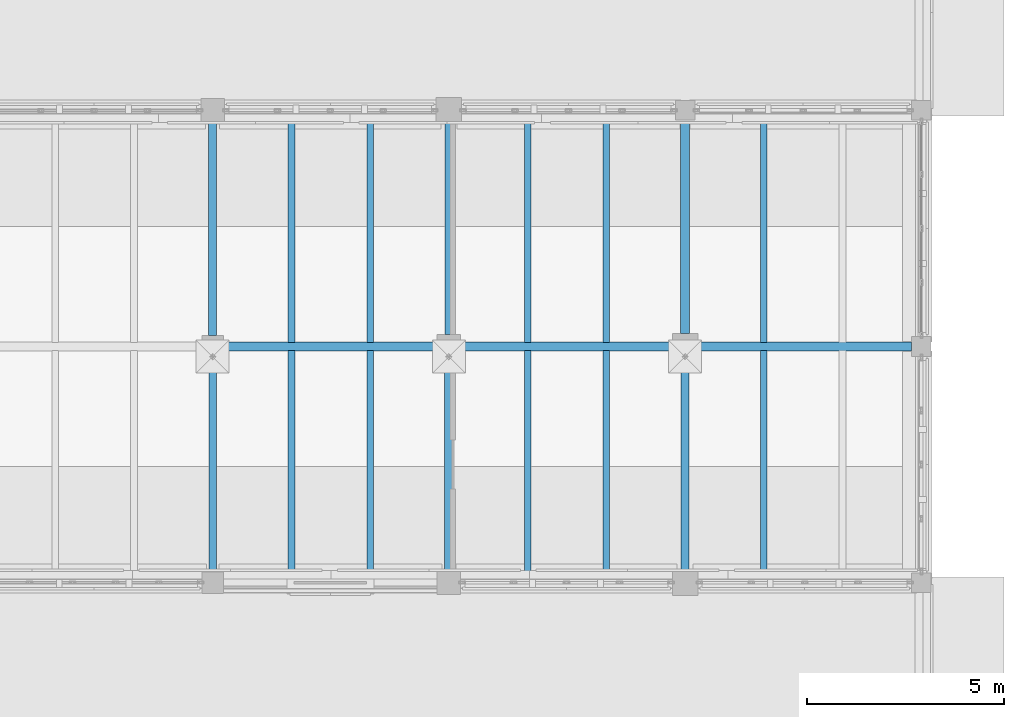
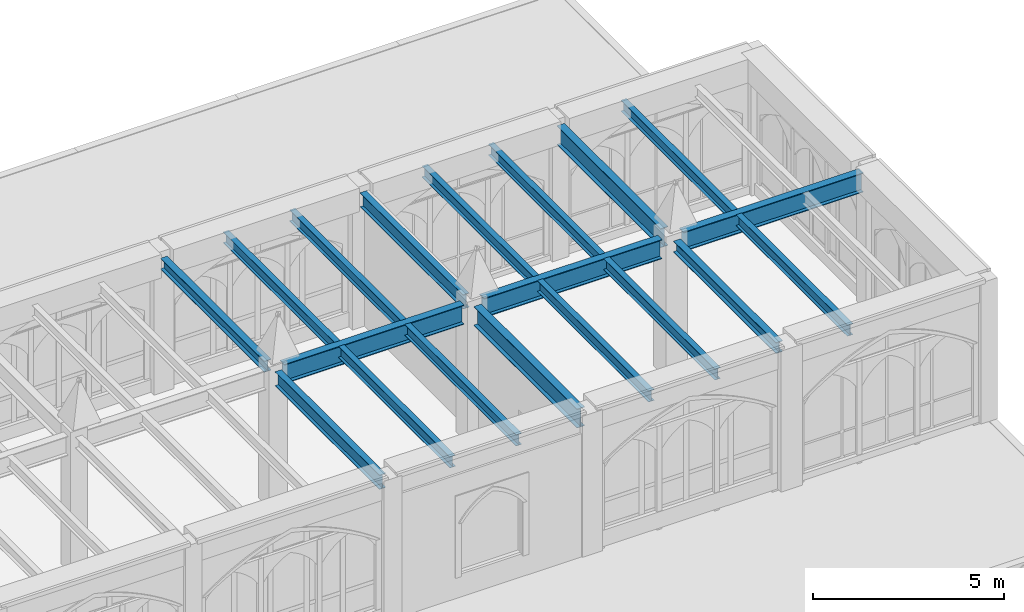
# One storey, part 76 of 143: 19 beams.
"""IFC4 building model written with IfcOpenShell, lengths in metres."""

import ifcopenshell
import ifcopenshell.guid

model = None  # the IFC model being written
_history = None  # IfcOwnerHistory: only IFC2X3 demands one
_inside = {}  # id of a spatial element -> (the spatial element, [elements in it])
_under = {}  # id of a project, library or spatial element -> (it, [spatial elements below it])
_declared = {}  # id of a project -> (the project, [libraries it declares])
_typed = {}  # id of a type object -> (the type object, [elements of that type])
_made_of = {}  # id of a material, layer set ... -> (it, [elements and type objects made of it])


def new_model(schema):
    """Start an empty IFC model of exactly this schema.

    Asked for "IFC4X3", IfcOpenShell would pick the latest addendum, in which some entities
    have other attributes; the version numbers below select the first issue.
    IFC2X3 requires an IfcOwnerHistory on every rooted entity: one is made here for all.
    """
    global model, _history
    if schema == "IFC4X3":
        model = ifcopenshell.file(schema_version=(4, 3, 0, 0))
    else:
        model = ifcopenshell.file(schema=schema)
    _inside.clear()
    _under.clear()
    _declared.clear()
    _typed.clear()
    _made_of.clear()
    _history = None
    if model.schema == "IFC2X3":
        org = make("IfcOrganization", Name="unknown")
        user = make(
            "IfcPersonAndOrganization",
            ThePerson=make("IfcPerson", FamilyName="unknown"),
            TheOrganization=org,
        )
        app = make(
            "IfcApplication",
            ApplicationDeveloper=org,
            Version="unknown",
            ApplicationFullName="unknown",
            ApplicationIdentifier="unknown",
        )
        _history = make(
            "IfcOwnerHistory",
            OwningUser=user,
            OwningApplication=app,
            ChangeAction="ADDED",
            CreationDate=0,
        )
    return model


def make(cls, **values):
    """One entity of the class cls with the attributes given. An attribute that is None is left unset."""
    return model.create_entity(
        cls, **{name: value for name, value in values.items() if value is not None}
    )


def rooted(cls, **values):
    """An entity with a GlobalId (a new one), such as an element, a storey or a relation."""
    return make(cls, GlobalId=ifcopenshell.guid.new(), OwnerHistory=_history, **values)


def si_unit(unit_type, name, prefix=None):
    """IfcSIUnit, for example si_unit("LENGTHUNIT", "METRE", prefix="MILLI")."""
    return make("IfcSIUnit", UnitType=unit_type, Prefix=prefix, Name=name)


def assignment(units):
    """IfcUnitAssignment: the units of a project."""
    return None if units is None else make("IfcUnitAssignment", Units=units)


def point(xyz):
    """IfcCartesianPoint."""
    return None if xyz is None else make("IfcCartesianPoint", Coordinates=xyz)


def direction(xyz):
    """IfcDirection."""
    return None if xyz is None else make("IfcDirection", DirectionRatios=xyz)


def frame(location, z_axis=None, x_axis=None):
    """IfcAxis2Placement3D, a coordinate frame: its origin and axes. An axis left out is left unset."""
    return make(
        "IfcAxis2Placement3D",
        Location=point(location),
        Axis=direction(z_axis),
        RefDirection=direction(x_axis),
    )


def frame_2d(location, x_axis=None):
    """IfcAxis2Placement2D, a coordinate frame in the plane: its origin and x axis."""
    return make(
        "IfcAxis2Placement2D", Location=point(location), RefDirection=direction(x_axis)
    )


def origin():
    """The frame at (0, 0, 0) with its axes left unset."""
    return frame((0.0, 0.0, 0.0))


def origin_2d():
    """The frame at (0, 0) in the plane with its x axis left unset."""
    return frame_2d((0.0, 0.0))


def place(relative_to, where):
    """IfcLocalPlacement: puts the frame where relative to a parent placement (None: the world)."""
    return make(
        "IfcLocalPlacement", PlacementRelTo=relative_to, RelativePlacement=where
    )


def context(
    kind, dimensions, precision=None, world=None, true_north=None, identifier=None
):
    """IfcGeometricRepresentationContext, for example the 3D "Model" context."""
    return make(
        "IfcGeometricRepresentationContext",
        ContextIdentifier=identifier,
        ContextType=kind,
        CoordinateSpaceDimension=dimensions,
        Precision=precision,
        WorldCoordinateSystem=world,
        TrueNorth=true_north,
    )


def subcontext(parent, identifier, kind, view, scale=None):
    """IfcGeometricRepresentationSubContext, for example "Body" below "Model"."""
    return make(
        "IfcGeometricRepresentationSubContext",
        ContextIdentifier=identifier,
        ContextType=kind,
        ParentContext=parent,
        TargetScale=scale,
        TargetView=view,
    )


def project(units=None, contexts=None):
    """IfcProject with its units and contexts."""
    return rooted(
        "IfcProject",
        Name="project",
        RepresentationContexts=contexts,
        UnitsInContext=assignment(units),
    )


def spatial(cls, under=None, at=None, **own):
    """A site, building, storey or space (cls), placed at a placement, below another one or the project."""
    s = rooted(cls, ObjectPlacement=at, **own)
    if under is not None:
        _under.setdefault(under.id(), (under, []))[1].append(s)
    return s


def profile(cls, at=None, kind="AREA", **sizes):
    """A parametric profile (cls). Its sizes go by their IFC names, for example OverallWidth=200.0."""
    return make(cls, ProfileType=kind, Position=at, **sizes)


def i_section(**sizes):
    """IfcIShapeProfileDef."""
    return profile("IfcIShapeProfileDef", **sizes)


def extrude(swept, where, along, depth):
    """IfcExtrudedAreaSolid: the profile swept, set in the frame where, extruded along a direction by depth."""
    return make(
        "IfcExtrudedAreaSolid",
        SweptArea=swept,
        Position=where,
        ExtrudedDirection=direction(along),
        Depth=depth,
    )


def shape(context_of_items, identifier, shape_type, items):
    """IfcShapeRepresentation: the items that make up one representation, for example the "Body"."""
    return make(
        "IfcShapeRepresentation",
        ContextOfItems=context_of_items,
        RepresentationIdentifier=identifier,
        RepresentationType=shape_type,
        Items=items,
    )


def material(Name=None, Category=None):
    """IfcMaterial."""
    return make("IfcMaterial", Name=Name, Category=Category)


def material_profile(
    of_material, cross_section, Name=None, Category=None, Priority=None
):
    """IfcMaterialProfile: a cross section and its material."""
    return make(
        "IfcMaterialProfile",
        Name=Name,
        Material=of_material,
        Profile=cross_section,
        Priority=Priority,
        Category=Category,
    )


def profile_set(profiles, Name=None, composite=None):
    """IfcMaterialProfileSet."""
    return make(
        "IfcMaterialProfileSet",
        Name=Name,
        MaterialProfiles=profiles,
        CompositeProfile=composite,
    )


def made_of(thing, what):
    """Note that an element or type object is made of a material, layer set ...; save() writes the relation."""
    if what is not None:
        _made_of.setdefault(what.id(), (what, []))[1].append(thing)
    return thing


def type_object(cls, material=None, **own):
    """A type object (cls), such as IfcWallType, which elements share."""
    return made_of(rooted(cls, **own), material)


def element(
    cls,
    number,
    at=None,
    inside=None,
    cuts=None,
    type_object=None,
    material=None,
    context=None,
    identifier="Body",
    shape_type=None,
    held_by="IfcProductDefinitionShape",
    body=None,
    shapes=None,
    **own,
):
    """One element of the class cls, such as IfcWall. Its Tag is "e" and its number.

    at: its placement. inside: the storey or other place that contains it. cuts: it is an
    opening in that element (IfcRelVoidsElement). A single representation is given by context,
    identifier, shape_type and body (its items); several are given by shapes. held_by: the class
    of the entity that holds the representations. save() writes the other relations.
    """
    e = rooted(cls, Tag="e%d" % number, ObjectPlacement=at, **own)
    if body is not None:
        shapes = [shape(context, identifier, shape_type, body)]
    if shapes is not None:
        e.Representation = make(held_by, Representations=shapes)
    if inside is not None:
        _inside.setdefault(inside.id(), (inside, []))[1].append(e)
    if cuts is not None:
        rooted(
            "IfcRelVoidsElement", RelatingBuildingElement=cuts, RelatedOpeningElement=e
        )
    if type_object is not None:
        _typed.setdefault(type_object.id(), (type_object, []))[1].append(e)
    return made_of(e, material)


def aggregate(whole, parts):
    """IfcRelAggregates: a whole, such as a stair, and the parts it consists of."""
    return rooted("IfcRelAggregates", RelatingObject=whole, RelatedObjects=parts)


def save(model, path):
    """Write the relations noted so far, then the file.

    IfcRelAggregates (storeys below a building ...), IfcRelContainedInSpatialStructure (elements
    in a storey), IfcRelDefinesByType, IfcRelAssociatesMaterial and IfcRelDeclares: one each for
    every whole, place, type object, material and project.
    """
    for whole, parts in _under.values():
        aggregate(whole, parts)
    for where, things in _inside.values():
        rooted(
            "IfcRelContainedInSpatialStructure",
            RelatedElements=things,
            RelatingStructure=where,
        )
    for kind, things in _typed.values():
        rooted("IfcRelDefinesByType", RelatedObjects=things, RelatingType=kind)
    for what, things in _made_of.values():
        rooted("IfcRelAssociatesMaterial", RelatedObjects=things, RelatingMaterial=what)
    for by, libraries in _declared.values():
        rooted("IfcRelDeclares", RelatingContext=by, RelatedDefinitions=libraries)
    model.write(path)


model = new_model("IFC4")

# Units and contexts
model_context = context("Model", 3, precision=1e-05, world=origin(), true_north=direction((0.0, 1.0)))
body_context = subcontext(model_context, "Body", "Model", "MODEL_VIEW")
ifc_project = project(units=[si_unit("LENGTHUNIT", "METRE"), si_unit("AREAUNIT", "SQUARE_METRE"), si_unit("VOLUMEUNIT", "CUBIC_METRE"), si_unit("PLANEANGLEUNIT", "RADIAN"), si_unit("MASSUNIT", "GRAM", prefix="KILO")], contexts=[model_context])

# Site, building, storey
site_placement = place(None, origin())
site = spatial("IfcSite", under=ifc_project, at=site_placement, CompositionType="ELEMENT")
building_placement = place(site_placement, origin())
building = spatial("IfcBuilding", under=site, at=building_placement, Name="Cumevento Cable Car Station", CompositionType="ELEMENT")
storey_placement = place(building_placement, frame((0.0, 0.0, 9.0)))
storey = spatial("IfcBuildingStorey", under=building, at=storey_placement, Name="L03", CompositionType="ELEMENT", Elevation=9.0)

# Beams
ifc_material_1 = material(Name="Steel ASTM A572 Grade 50", Category="steel")
ifc_material_profile_1 = material_profile(ifc_material_1, i_section(OverallWidth=0.22998046875, OverallDepth=0.616943359375, WebThickness=0.01318359375, FlangeThickness=0.022216796875, at=origin_2d()), Name="W610x140.0")
ifc_profile_set_1 = profile_set([ifc_material_profile_1], Name="Steel ASTM A572 Grade 50")
beam_type_1 = type_object("IfcBeamType", Name="Structural Beam BM-01 W610x140.0", PredefinedType="BEAM", material=ifc_profile_set_1)
beam_1_placement = place(storey_placement, frame((148.27490234375, 39.0, 3.991455078125), z_axis=(1.0, 0.0, 0.0), x_axis=(0.0, 1.0, 0.0)))
element("IfcBeam", 1, at=beam_1_placement, inside=storey, type_object=beam_type_1, Name="Beam BM-01 L03 #1171", PredefinedType="BEAM", context=body_context, shape_type="SweptSolid", body=[
    extrude(i_section(OverallWidth=0.22998046875, OverallDepth=0.616943359375, WebThickness=0.01318359375, FlangeThickness=0.022216796875, at=origin_2d()), origin(), (0.0, 0.0, 1.0), 5.425048828125),
])
beam_2_placement = place(storey_placement, frame((154.300048828125, 39.0, 3.991455078125), z_axis=(1.0, 0.0, 0.0), x_axis=(0.0, 1.0, 0.0)))
element("IfcBeam", 2, at=beam_2_placement, inside=storey, type_object=beam_type_1, Name="Beam BM-01 L03 #1172", PredefinedType="BEAM", context=body_context, shape_type="SweptSolid", body=[
    extrude(i_section(OverallWidth=0.22998046875, OverallDepth=0.616943359375, WebThickness=0.01318359375, FlangeThickness=0.022216796875, at=origin_2d()), origin(), (0.0, 0.0, 1.0), 5.375),
])
beam_3_placement = place(storey_placement, frame((160.324951171875, 39.0, 3.991455078125), z_axis=(1.0, 0.0, 0.0), x_axis=(0.0, 1.0, 0.0)))
element("IfcBeam", 3, at=beam_3_placement, inside=storey, type_object=beam_type_1, Name="Beam BM-01 L03 #1173", PredefinedType="BEAM", context=body_context, shape_type="SweptSolid", body=[
    extrude(i_section(OverallWidth=0.22998046875, OverallDepth=0.616943359375, WebThickness=0.01318359375, FlangeThickness=0.022216796875, at=origin_2d()), origin(), (0.0, 0.0, 1.0), 5.425048828125),
])
ifc_material_2 = material(Name="Steel ASTM A572 Grade 50", Category="steel")
ifc_material_profile_2 = material_profile(ifc_material_2, i_section(OverallWidth=0.22802734375, OverallDepth=0.60791015625, WebThickness=0.01123046875, FlangeThickness=0.017333984375, at=origin_2d()), Name="W610x113.0")
ifc_profile_set_2 = profile_set([ifc_material_profile_2], Name="Steel ASTM A572 Grade 50")
beam_type_2 = type_object("IfcBeamType", Name="Structural Beam BM-02 W610x113.0", PredefinedType="BEAM", material=ifc_profile_set_2)
beam_4_placement = place(storey_placement, frame((154.0, 33.300048828125, 3.99609375), z_axis=(0.0, 1.0, 0.0), x_axis=(-1.0, 0.0, 0.0)))
element("IfcBeam", 4, at=beam_4_placement, inside=storey, type_object=beam_type_2, Name="Beam BM-02 L03 #1183", PredefinedType="BEAM", context=body_context, shape_type="SweptSolid", body=[
    extrude(i_section(OverallWidth=0.22802734375, OverallDepth=0.60791015625, WebThickness=0.01123046875, FlangeThickness=0.017333984375, at=origin_2d()), origin(), (0.0, 0.0, 1.0), 5.39990234375),
])
beam_5_placement = place(storey_placement, frame((160.0, 39.324951171875, 3.99609375), z_axis=(0.0, 1.0, 0.0), x_axis=(-1.0, 0.0, 0.0)))
element("IfcBeam", 5, at=beam_5_placement, inside=storey, type_object=beam_type_2, Name="Beam BM-02 L03 #1186", PredefinedType="BEAM", context=body_context, shape_type="SweptSolid", body=[
    extrude(i_section(OverallWidth=0.22802734375, OverallDepth=0.60791015625, WebThickness=0.01123046875, FlangeThickness=0.017333984375, at=origin_2d()), origin(), (0.0, 0.0, 1.0), 5.425048828125),
])
ifc_material_3 = material(Name="Steel ASTM A572 Grade 50", Category="steel")
ifc_material_profile_3 = material_profile(ifc_material_3, i_section(OverallWidth=0.18994140625, OverallDepth=0.45703125, WebThickness=0.009033203125, FlangeThickness=0.014404296875, at=origin_2d()), Name="W460x74.0")
ifc_profile_set_3 = profile_set([ifc_material_profile_3], Name="Steel ASTM A572 Grade 50")
beam_type_3 = type_object("IfcBeamType", Name="Structural Beam BM-04 W460x74.0", PredefinedType="BEAM", material=ifc_profile_set_3)
beam_6_placement = place(storey_placement, frame((148.0, 33.27490234375, 4.071533203125), z_axis=(0.0, 1.0, 0.0), x_axis=(-1.0, 0.0, 0.0)))
element("IfcBeam", 6, at=beam_6_placement, inside=storey, type_object=beam_type_3, Name="Beam BM-04 L03 #1181", PredefinedType="BEAM", context=body_context, shape_type="SweptSolid", body=[
    extrude(i_section(OverallWidth=0.18994140625, OverallDepth=0.45703125, WebThickness=0.009033203125, FlangeThickness=0.014404296875, at=origin_2d()), origin(), (0.0, 0.0, 1.0), 5.4501953125),
])
beam_7_placement = place(storey_placement, frame((154.0, 39.300048828125, 4.071533203125), z_axis=(0.0, 1.0, 0.0), x_axis=(-1.0, 0.0, 0.0)))
element("IfcBeam", 7, at=beam_7_placement, inside=storey, type_object=beam_type_3, Name="Beam BM-04 L03 #1184", PredefinedType="BEAM", context=body_context, shape_type="SweptSolid", body=[
    extrude(i_section(OverallWidth=0.18994140625, OverallDepth=0.45703125, WebThickness=0.009033203125, FlangeThickness=0.014404296875, at=origin_2d()), origin(), (0.0, 0.0, 1.0), 5.375),
])
ifc_material_4 = material(Name="Steel ASTM A572 Grade 50", Category="steel")
ifc_material_profile_4 = material_profile(ifc_material_4, i_section(OverallWidth=0.205078125, OverallDepth=0.35400390625, WebThickness=0.009521484375, FlangeThickness=0.016845703125, at=origin_2d()), Name="W360x79.0")
ifc_profile_set_4 = profile_set([ifc_material_profile_4], Name="Steel ASTM A572 Grade 50")
beam_type_4 = type_object("IfcBeamType", Name="Structural Beam BM-05 W360x79.0", PredefinedType="BEAM", material=ifc_profile_set_4)
beam_8_placement = place(storey_placement, frame((148.0, 39.27490234375, 4.123046875), z_axis=(0.0, 1.0, 0.0), x_axis=(-1.0, 0.0, 0.0)))
element("IfcBeam", 8, at=beam_8_placement, inside=storey, type_object=beam_type_4, Name="Beam BM-05 L03 #1182", PredefinedType="BEAM", context=body_context, shape_type="SweptSolid", body=[
    extrude(i_section(OverallWidth=0.205078125, OverallDepth=0.35400390625, WebThickness=0.009521484375, FlangeThickness=0.016845703125, at=origin_2d()), origin(), (0.0, 0.0, 1.0), 5.425048828125),
])
beam_9_placement = place(storey_placement, frame((160.0, 33.324951171875, 4.123046875), z_axis=(0.0, 1.0, 0.0), x_axis=(-1.0, 0.0, 0.0)))
element("IfcBeam", 9, at=beam_9_placement, inside=storey, type_object=beam_type_4, Name="Beam BM-05 L03 #1185", PredefinedType="BEAM", context=body_context, shape_type="SweptSolid", body=[
    extrude(i_section(OverallWidth=0.205078125, OverallDepth=0.35400390625, WebThickness=0.009521484375, FlangeThickness=0.016845703125, at=origin_2d()), origin(), (0.0, 0.0, 1.0), 5.35009765625),
])
ifc_material_5 = material(Name="Steel ASTM A572 Grade 50", Category="steel")
ifc_material_profile_5 = material_profile(ifc_material_5, i_section(OverallWidth=0.1708984375, OverallDepth=0.35498046875, WebThickness=0.007080078125, FlangeThickness=0.01171875, at=origin_2d()), Name="W360x51.0")
ifc_profile_set_5 = profile_set([ifc_material_profile_5], Name="Steel ASTM A572 Grade 50")
beam_type_5 = type_object("IfcBeamType", Name="Structural Joist JS-01 W360x51.0", PredefinedType="JOIST", material=ifc_profile_set_5)
for number, where, z_axis, x_axis, name in (
    (10, (150.0, 33.076904296875, 4.12255859375), (0.0, 1.0, 0.0), (-1.0, 0.0, 0.0), "Composite Floor Joist JS-01 L03 #1321"),
    (11, (150.0, 39.10302734375, 4.12255859375), (0.0, 1.0, 0.0), (-1.0, 0.0, 0.0), "Composite Floor Joist JS-01 L03 #1322"),
    (12, (152.0, 33.076904296875, 4.12255859375), (0.0, 1.0, 0.0), (-1.0, 0.0, 0.0), "Composite Floor Joist JS-01 L03 #1323"),
    (13, (152.0, 39.10302734375, 4.12255859375), (0.0, 1.0, 0.0), (-1.0, 0.0, 0.0), "Composite Floor Joist JS-01 L03 #1324"),
    (14, (156.0, 33.076904296875, 4.12255859375), (0.0, 1.0, 0.0), (-1.0, 0.0, 0.0), "Composite Floor Joist JS-01 L03 #1325"),
    (15, (156.0, 39.10302734375, 4.12255859375), (0.0, 1.0, 0.0), (-1.0, 0.0, 0.0), "Composite Floor Joist JS-01 L03 #1326"),
    (16, (158.0, 33.076904296875, 4.12255859375), (0.0, 1.0, 0.0), (-1.0, 0.0, 0.0), "Composite Floor Joist JS-01 L03 #1327"),
    (17, (158.0, 39.10302734375, 4.12255859375), (0.0, 1.0, 0.0), (-1.0, 0.0, 0.0), "Composite Floor Joist JS-01 L03 #1328"),
    (18, (162.0, 33.076904296875, 4.12255859375), (0.0, 1.0, 0.0), (-1.0, 0.0, 0.0), "Composite Floor Joist JS-01 L03 #1329"),
    (19, (162.0, 39.10302734375, 4.12255859375), (0.0, 1.0, 0.0), (-1.0, 0.0, 0.0), "Composite Floor Joist JS-01 L03 #1330"),
):
    element("IfcBeam", number, at=place(storey_placement, frame(where, z_axis=z_axis, x_axis=x_axis)), inside=storey, type_object=beam_type_5, Name=name, PredefinedType="JOIST", context=body_context, shape_type="SweptSolid", body=[
        extrude(i_section(OverallWidth=0.1708984375, OverallDepth=0.35498046875, WebThickness=0.007080078125, FlangeThickness=0.01171875, at=origin_2d()), origin(), (0.0, 0.0, 1.0), 5.820068359375),
    ])

save(model, "model.ifc")
